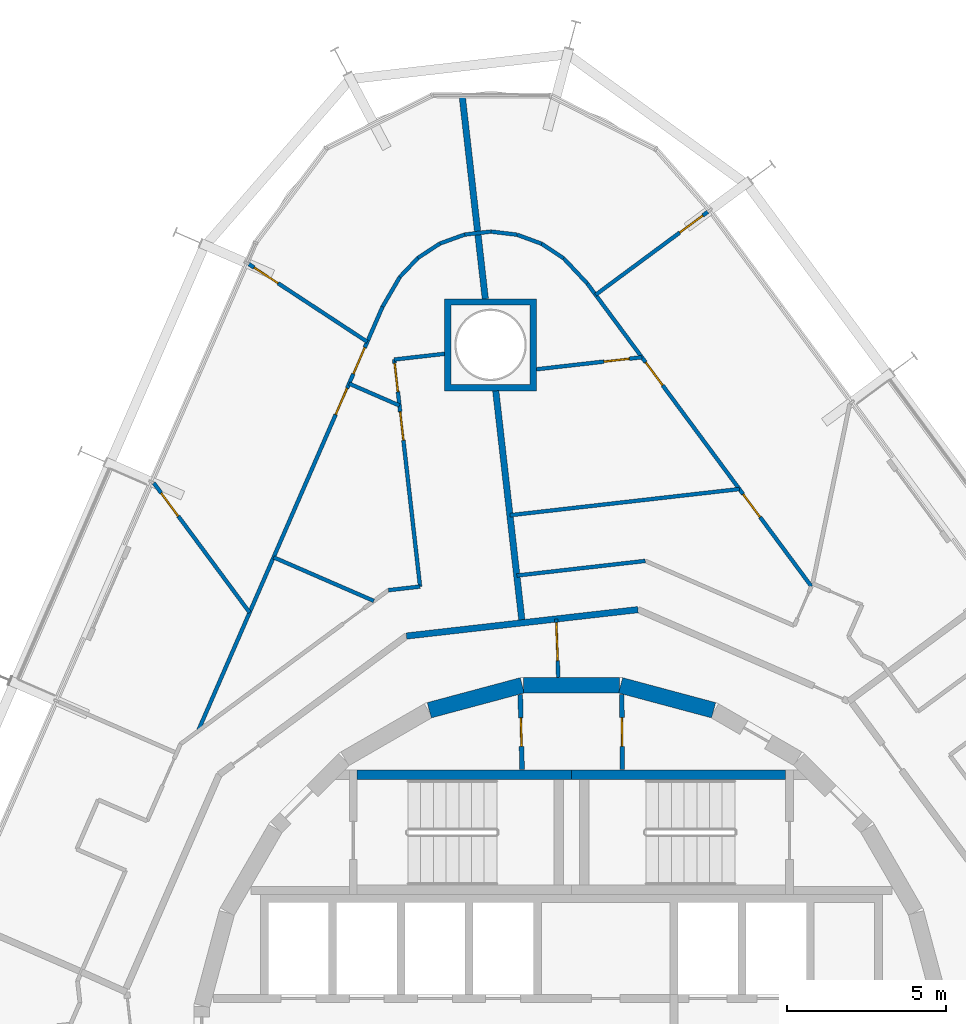
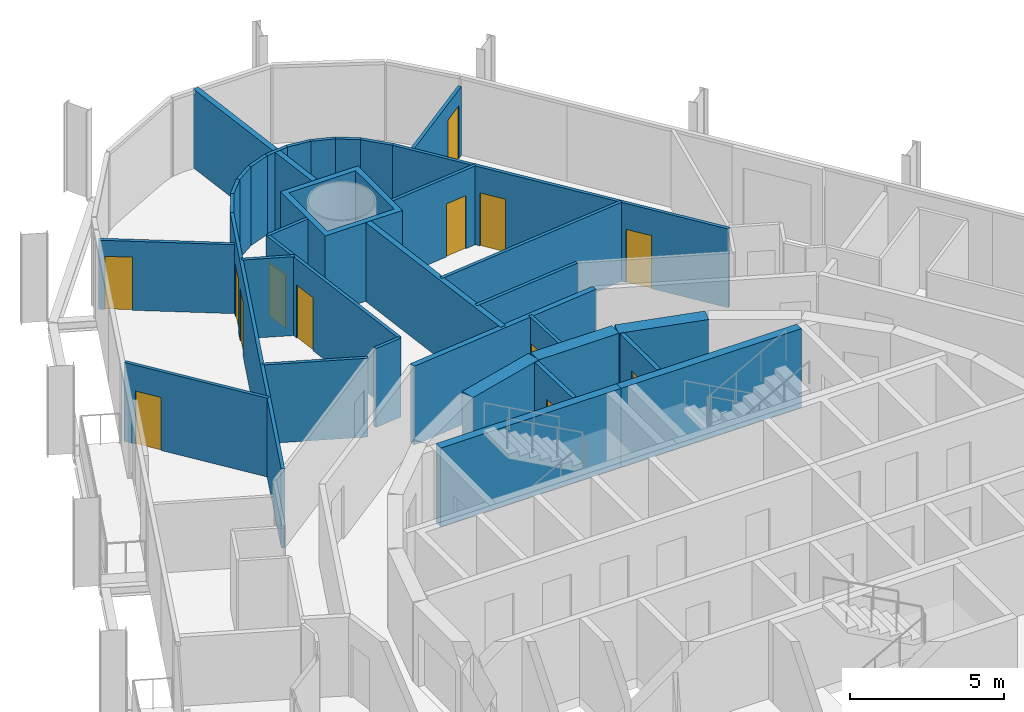
# One storey, part 21 of 23: 34 walls, 13 doors, 13 openings.
"""IFC4 building model written with IfcOpenShell, lengths in metres."""

from ifc_helpers import new_model, si_unit, direction, frame, frame_2d, origin, place, context, subcontext, project, spatial, polyline, rectangle, outline, extrude, material, layer, layer_set, type_object, element, fill, save


model = new_model("IFC4")

# Units and contexts
model_context = context("Model", 3, precision=1e-05, world=origin(), true_north=direction((0.0, 1.0)))
body_context = subcontext(model_context, "Body", "Model", "MODEL_VIEW")
ifc_project = project(units=[si_unit("LENGTHUNIT", "METRE"), si_unit("AREAUNIT", "SQUARE_METRE"), si_unit("VOLUMEUNIT", "CUBIC_METRE"), si_unit("PLANEANGLEUNIT", "RADIAN"), si_unit("MASSUNIT", "GRAM", prefix="KILO")], contexts=[model_context])

# Site, building, storey
site_placement = place(None, origin())
site = spatial("IfcSite", under=ifc_project, at=site_placement, CompositionType="ELEMENT")
building_placement = place(site_placement, origin())
building = spatial("IfcBuilding", under=site, at=building_placement, Name="Spindle Arch Residences", CompositionType="ELEMENT")
storey_placement = place(building_placement, frame((0.0, 0.0, 83.699951171875)))
storey = spatial("IfcBuildingStorey", under=building, at=storey_placement, Name="L19", CompositionType="ELEMENT", Elevation=83.699951171875)

# Walls
ifc_material_1 = material(Name="Concrete C50/60", Category="concrete")
ifc_layer_1 = layer(ifc_material_1, 0.5)
ifc_layer_set_1 = layer_set([ifc_layer_1], Name="Core outline wall 500")
wall_type_1 = type_object("IfcWallType", Name="Core outline wall 500", PredefinedType="SHEAR", material=ifc_layer_set_1)
for number, where, z_axis, x_axis, name in (
    (1, (4.479248046875, 10.858154296875, 0.0), (0.0, 0.0, 1.0), (-0.965948410781, 0.258734743916, 0.0), "Core outline wall 11"),
    (2, (1.516357421875, 11.647216796875, 0.0), (0.0, 0.0, 1.0), (-1.0, 0.0, 0.0), "Core outline wall 12"),
    (3, (-1.5498046875, 11.642822265625, 0.0), (0.0, 0.0, 1.0), (-0.965948410781, -0.258734743916, 0.0), "Core outline wall 13"),
):
    element("IfcWall", number, at=place(storey_placement, frame(where, z_axis=z_axis, x_axis=x_axis)), inside=storey, type_object=wall_type_1, Name=name, PredefinedType="SHEAR", context=body_context, shape_type="SweptSolid", body=[
        extrude(rectangle(XDim=3.03271484375, YDim=0.5, at=frame_2d((1.516357421875, 0.0))), origin(), (0.0, 0.0, 1.0), 3.1201171875),
    ])

# Wall, opening, door
ifc_material_2 = material(Name="Plasterboard on steel studs", Category="steel")
ifc_layer_2 = layer(ifc_material_2, 0.1201171875)
ifc_layer_set_2 = layer_set([ifc_layer_2], Name="Corridor division wall 120")
wall_type_2 = type_object("IfcWallType", Name="Corridor division wall 120", PredefinedType="PARTITIONING", material=ifc_layer_set_2)
wall_1_placement = place(storey_placement, frame((-0.4794921875, 13.73388671875, 0.0), z_axis=(0.0, 0.0, 1.0), x_axis=(0.034805430832, -0.999394107439, 0.0)))
wall_1 = element("IfcWall", 4, at=wall_1_placement, inside=storey, type_object=wall_type_2, Name="Corridor division wall R2A0-W001", PredefinedType="PARTITIONING", context=body_context, shape_type="SweptSolid", body=[
    extrude(rectangle(XDim=1.837890625, YDim=0.1201171875, at=frame_2d((0.9189453125, 0.0))), origin(), (0.0, 0.0, 1.0), 3.1201171875),
])
opening_1_placement = place(wall_1_placement, frame((0.114990234375, 0.0, 0.0)))
opening_1 = element("IfcOpeningElement", 5, at=opening_1_placement, cuts=wall_1, Name="Opening R2A0-CD01", PredefinedType="OPENING", context=body_context, shape_type="SweptSolid", body=[
    extrude(rectangle(XDim=1.199951171875, YDim=2.10009765625, at=frame_2d((0.60009765625, 1.050048828125))), frame((0.0, 0.070068359375, 0.0), z_axis=(0.0, -1.0, 0.0), x_axis=(1.0, 0.0, 0.0)), (0.0, 0.0, 1.0), 0.14013671875),
])
ifc_material_3 = material(Name="Steel, fire-resisting door", Category="steel")
door_type_1 = type_object("IfcDoorType", Name="Corridor division door 1200x2100", OperationType="NOTDEFINED", PredefinedType="DOOR", material=ifc_material_3)
door_1_placement = place(opening_1_placement, origin())
door_1 = element("IfcDoor", 6, at=door_1_placement, inside=storey, type_object=door_type_1, Name="Corridor division door R2A0-CD01", OperationType="DOUBLE_DOOR_SINGLE_SWING", OverallHeight=2.10009765625, OverallWidth=1.199951171875, PredefinedType="DOOR", context=body_context, shape_type="SweptSolid", body=[
    extrude(rectangle(XDim=1.199951171875, YDim=2.10009765625, at=frame_2d((0.60009765625, 1.050048828125))), frame((0.0, 0.02490234375, 0.0), z_axis=(0.0, -1.0, 0.0), x_axis=(1.0, 0.0, 0.0)), (0.0, 0.0, 1.0), 0.050048828125),
])
fill(opening_1, door_1)

# Walls
ifc_material_4 = material(Name="Calcium silicate block, plastered")
ifc_layer_3 = layer(ifc_material_4, 0.199951171875)
ifc_layer_set_3 = layer_set([ifc_layer_3], Name="Corridor wall 200")
wall_type_3 = type_object("IfcWallType", Name="Corridor wall 200", PredefinedType="STANDARD", material=ifc_layer_set_3)
wall_2_placement = place(storey_placement, frame((2.096435546875, 14.027587890625, 0.0), z_axis=(0.0, 0.0, 1.0), x_axis=(-0.993569170114, -0.113226782163, 0.0)))
element("IfcWall", 7, at=wall_2_placement, inside=storey, type_object=wall_type_3, Name="Corridor wall R2A0-W008", PredefinedType="STANDARD", context=body_context, shape_type="SweptSolid", body=[
    extrude(rectangle(XDim=7.341796875, YDim=0.199951171875, at=frame_2d((3.6708984375, 0.0))), origin(), (0.0, 0.0, 1.0), 3.1201171875),
])
ifc_material_5 = material(Name="Plasterboard on steel studs", Category="steel")
ifc_layer_4 = layer(ifc_material_5, 0.1201171875)
ifc_layer_set_4 = layer_set([ifc_layer_4], Name="Flat partition 120")
wall_type_4 = type_object("IfcWallType", Name="Flat partition 120", PredefinedType="PARTITIONING", material=ifc_layer_set_4)
wall_3_placement = place(storey_placement, frame((2.325927734375, 15.563232421875, 0.0), z_axis=(0.0, 0.0, 1.0), x_axis=(-0.993575109804, -0.113174649008, 0.0)))
element("IfcWall", 8, at=wall_3_placement, inside=storey, type_object=wall_type_4, Name="Flat partition R2A0-W053", PredefinedType="PARTITIONING", context=body_context, shape_type="SweptSolid", body=[
    extrude(rectangle(XDim=4.07275390625, YDim=0.1201171875, at=frame_2d((2.036376953125, 0.0))), origin(), (0.0, 0.0, 1.0), 3.1201171875),
])

# Wall, openings, doors
wall_4_placement = place(storey_placement, frame((0.49755859375, 24.3056640625, 0.0), z_axis=(0.0, 0.0, 1.0), x_axis=(0.594826266513, -0.803854285718, 0.0)))
wall_4 = element("IfcWall", 9, at=wall_4_placement, inside=storey, type_object=wall_type_4, Name="Flat partition R2A0-W055", PredefinedType="PARTITIONING", context=body_context, shape_type="SweptSolid", body=[
    extrude(rectangle(XDim=11.874755859375, YDim=0.1201171875, at=frame_2d((5.9375, 0.0))), origin(), (0.0, 0.0, 1.0), 3.1201171875),
])
opening_2_placement = place(wall_4_placement, frame((8.259521484375, 0.0, 0.0)))
opening_2 = element("IfcOpeningElement", 10, at=opening_2_placement, cuts=wall_4, Name="Opening R2A0-ID08", PredefinedType="OPENING", context=body_context, shape_type="SweptSolid", body=[
    extrude(rectangle(XDim=0.89990234375, YDim=2.10009765625, at=frame_2d((0.449951171875, 1.050048828125))), frame((0.0, 0.070068359375, 0.0), z_axis=(0.0, -1.0, 0.0), x_axis=(1.0, 0.0, 0.0)), (0.0, 0.0, 1.0), 0.14013671875),
])
opening_3_placement = place(wall_4_placement, frame((3.093505859375, 0.0, 0.0)))
opening_3 = element("IfcOpeningElement", 11, at=opening_3_placement, cuts=wall_4, Name="Opening R2A0-ID09", PredefinedType="OPENING", context=body_context, shape_type="SweptSolid", body=[
    extrude(rectangle(XDim=0.89990234375, YDim=2.10009765625, at=frame_2d((0.449951171875, 1.050048828125))), frame((0.0, 0.070068359375, 0.0), z_axis=(0.0, -1.0, 0.0), x_axis=(1.0, 0.0, 0.0)), (0.0, 0.0, 1.0), 0.14013671875),
])
ifc_material_6 = material(Name="Timber door set", Category="wood")
door_type_2 = type_object("IfcDoorType", Name="Room door 900x2100", OperationType="NOTDEFINED", PredefinedType="DOOR", material=ifc_material_6)
door_2_placement = place(opening_2_placement, origin())
door_2 = element("IfcDoor", 12, at=door_2_placement, inside=storey, type_object=door_type_2, Name="Room door R2A0-ID08", OperationType="SINGLE_SWING_RIGHT", OverallHeight=2.10009765625, OverallWidth=0.89990234375, PredefinedType="DOOR", context=body_context, shape_type="SweptSolid", body=[
    extrude(rectangle(XDim=0.89990234375, YDim=2.10009765625, at=frame_2d((0.449951171875, 1.050048828125))), frame((0.0, 0.02490234375, 0.0), z_axis=(0.0, -1.0, 0.0), x_axis=(1.0, 0.0, 0.0)), (0.0, 0.0, 1.0), 0.050048828125),
])
fill(opening_2, door_2)
door_3_placement = place(opening_3_placement, origin())
door_3 = element("IfcDoor", 13, at=door_3_placement, inside=storey, type_object=door_type_2, Name="Room door R2A0-ID09", OperationType="SINGLE_SWING_LEFT", OverallHeight=2.10009765625, OverallWidth=0.89990234375, PredefinedType="DOOR", context=body_context, shape_type="SweptSolid", body=[
    extrude(rectangle(XDim=0.89990234375, YDim=2.10009765625, at=frame_2d((0.449951171875, 1.050048828125))), frame((0.0, 0.02490234375, 0.0), z_axis=(0.0, -1.0, 0.0), x_axis=(1.0, 0.0, 0.0)), (0.0, 0.0, 1.0), 0.050048828125),
])
fill(opening_3, door_3)

# Wall
wall_5_placement = place(storey_placement, frame((5.29150390625, 17.826904296875, 0.0), z_axis=(0.0, 0.0, 1.0), x_axis=(-0.993570041735, -0.113219133399, 0.0)))
element("IfcWall", 14, at=wall_5_placement, inside=storey, type_object=wall_type_4, Name="Flat partition R2A0-W057", PredefinedType="PARTITIONING", context=body_context, shape_type="SweptSolid", body=[
    extrude(rectangle(XDim=7.275634765625, YDim=0.1201171875, at=frame_2d((3.6376953125, 0.0))), origin(), (0.0, 0.0, 1.0), 3.1201171875),
])

# Wall, opening, door
wall_6_placement = place(storey_placement, frame((2.21875, 21.9794921875, 0.0), z_axis=(0.0, 0.0, 1.0), x_axis=(-0.99357408397, -0.113183654573, 0.0)))
wall_6 = element("IfcWall", 15, at=wall_6_placement, inside=storey, type_object=wall_type_4, Name="Flat partition R2A0-W058", PredefinedType="PARTITIONING", context=body_context, shape_type="SweptSolid", body=[
    extrude(rectangle(XDim=3.339111328125, YDim=0.1201171875, at=frame_2d((1.66943359375, 0.0))), origin(), (0.0, 0.0, 1.0), 3.1201171875),
])
opening_4_placement = place(wall_6_placement, frame((0.39990234375, 0.0, 0.0)))
opening_4 = element("IfcOpeningElement", 16, at=opening_4_placement, cuts=wall_6, Name="Opening R2A0-BD03", PredefinedType="OPENING", context=body_context, shape_type="SweptSolid", body=[
    extrude(rectangle(XDim=0.800048828125, YDim=2.10009765625, at=frame_2d((0.39990234375, 1.050048828125))), frame((0.0, 0.070068359375, 0.0), z_axis=(0.0, -1.0, 0.0), x_axis=(1.0, 0.0, 0.0)), (0.0, 0.0, 1.0), 0.14013671875),
])
ifc_material_7 = material(Name="Timber door set", Category="wood")
door_type_3 = type_object("IfcDoorType", Name="Bathroom door 800x2100", OperationType="NOTDEFINED", PredefinedType="DOOR", material=ifc_material_7)
door_4_placement = place(opening_4_placement, origin())
door_4 = element("IfcDoor", 17, at=door_4_placement, inside=storey, type_object=door_type_3, Name="Bathroom door R2A0-BD03", OperationType="SINGLE_SWING_RIGHT", OverallHeight=2.10009765625, OverallWidth=0.800048828125, PredefinedType="DOOR", context=body_context, shape_type="SweptSolid", body=[
    extrude(rectangle(XDim=0.800048828125, YDim=2.10009765625, at=frame_2d((0.39990234375, 1.050048828125))), frame((0.0, 0.02490234375, 0.0), z_axis=(0.0, -1.0, 0.0), x_axis=(1.0, 0.0, 0.0)), (0.0, 0.0, 1.0), 0.050048828125),
])
fill(opening_4, door_4)

# Walls
for number, where, z_axis, x_axis, name in (
    (18, (-3.36181640625, 25.846435546875, 0.0), (0.0, 0.0, 1.0), (0.993548802859, 0.113405362912, 0.0), "Flat partition R2A0-W059"),
    (19, (-2.538330078125, 25.9404296875, 0.0), (0.0, 0.0, 1.0), (0.992894945409, -0.118994232556, 0.0), "Flat partition R2A0-W060"),
    (20, (-1.71533203125, 25.841796875, 0.0), (0.0, 0.0, 1.0), (0.938644465852, -0.344886309856, 0.0), "Flat partition R2A0-W061"),
    (21, (-0.937255859375, 25.555908203125, 0.0), (0.0, 0.0, 1.0), (0.833858440069, -0.551978352769, 0.0), "Flat partition R2A0-W062"),
):
    element("IfcWall", number, at=place(storey_placement, frame(where, z_axis=z_axis, x_axis=x_axis)), inside=storey, type_object=wall_type_4, Name=name, PredefinedType="PARTITIONING", context=body_context, shape_type="SweptSolid", body=[
        extrude(rectangle(XDim=0.828857421875, YDim=0.1201171875, at=frame_2d((0.41455078125, 0.0))), origin(), (0.0, 0.0, 1.0), 3.1201171875),
    ])
wall_7_placement = place(storey_placement, frame((-0.24609375, 25.098388671875, 0.0), z_axis=(0.0, 0.0, 1.0), x_axis=(0.684172712488, -0.729320025426, 0.0)))
element("IfcWall", 22, at=wall_7_placement, inside=storey, type_object=wall_type_4, Name="Flat partition R2A0-W063", PredefinedType="PARTITIONING", context=body_context, shape_type="SweptSolid", body=[
    extrude(rectangle(XDim=1.0869140625, YDim=0.1201171875, at=frame_2d((0.54345703125, 0.0))), origin(), (0.0, 0.0, 1.0), 3.1201171875),
])
wall_8_placement = place(storey_placement, frame((-3.998779296875, 22.089111328125, 0.0), z_axis=(0.0, 0.0, 1.0), x_axis=(-0.993550908639, -0.113386912568, 0.0)))
element("IfcWall", 23, at=wall_8_placement, inside=storey, type_object=wall_type_4, Name="Flat partition R2A0-W064", PredefinedType="PARTITIONING", context=body_context, shape_type="SweptSolid", body=[
    extrude(rectangle(XDim=1.595458984375, YDim=0.1201171875, at=frame_2d((0.7978515625, 0.0))), origin(), (0.0, 0.0, 1.0), 3.1201171875),
])

# Wall, openings, doors
wall_9_placement = place(storey_placement, frame((-5.583984375, 21.908203125, 0.0), z_axis=(0.0, 0.0, 1.0), x_axis=(0.113192725021, -0.993573050662, 0.0)))
wall_9 = element("IfcWall", 24, at=wall_9_placement, inside=storey, type_object=wall_type_4, Name="Flat partition R2A0-W065", PredefinedType="PARTITIONING", context=body_context, shape_type="SweptSolid", body=[
    extrude(rectangle(XDim=7.19970703125, YDim=0.1201171875, at=frame_2d((3.599853515625, 0.0))), origin(), (0.0, 0.0, 1.0), 3.1201171875),
])
opening_5_placement = place(wall_9_placement, frame((0.1201171875, 0.0, 0.0)))
opening_5 = element("IfcOpeningElement", 25, at=opening_5_placement, cuts=wall_9, Name="Opening R2A0-ID11", PredefinedType="OPENING", context=body_context, shape_type="SweptSolid", body=[
    extrude(rectangle(XDim=0.89990234375, YDim=2.10009765625, at=frame_2d((0.449951171875, 1.050048828125))), frame((0.0, 0.070068359375, 0.0), z_axis=(0.0, -1.0, 0.0), x_axis=(1.0, 0.0, 0.0)), (0.0, 0.0, 1.0), 0.14013671875),
])
opening_6_placement = place(wall_9_placement, frame((1.658203125, 0.0, 0.0)))
opening_6 = element("IfcOpeningElement", 26, at=opening_6_placement, cuts=wall_9, Name="Opening R2A0-ID12", PredefinedType="OPENING", context=body_context, shape_type="SweptSolid", body=[
    extrude(rectangle(XDim=0.89990234375, YDim=2.10009765625, at=frame_2d((0.449951171875, 1.050048828125))), frame((0.0, 0.070068359375, 0.0), z_axis=(0.0, -1.0, 0.0), x_axis=(1.0, 0.0, 0.0)), (0.0, 0.0, 1.0), 0.14013671875),
])
door_5_placement = place(opening_5_placement, origin())
door_5 = element("IfcDoor", 27, at=door_5_placement, inside=storey, type_object=door_type_2, Name="Room door R2A0-ID11", OperationType="SINGLE_SWING_RIGHT", OverallHeight=2.10009765625, OverallWidth=0.89990234375, PredefinedType="DOOR", context=body_context, shape_type="SweptSolid", body=[
    extrude(rectangle(XDim=0.89990234375, YDim=2.10009765625, at=frame_2d((0.449951171875, 1.050048828125))), frame((0.0, 0.02490234375, 0.0), z_axis=(0.0, -1.0, 0.0), x_axis=(1.0, 0.0, 0.0)), (0.0, 0.0, 1.0), 0.050048828125),
])
fill(opening_5, door_5)
door_6_placement = place(opening_6_placement, origin())
door_6 = element("IfcDoor", 28, at=door_6_placement, inside=storey, type_object=door_type_2, Name="Room door R2A0-ID12", OperationType="SINGLE_SWING_LEFT", OverallHeight=2.10009765625, OverallWidth=0.89990234375, PredefinedType="DOOR", context=body_context, shape_type="SweptSolid", body=[
    extrude(rectangle(XDim=0.89990234375, YDim=2.10009765625, at=frame_2d((0.449951171875, 1.050048828125))), frame((0.0, 0.02490234375, 0.0), z_axis=(0.0, -1.0, 0.0), x_axis=(1.0, 0.0, 0.0)), (0.0, 0.0, 1.0), 0.050048828125),
])
fill(opening_6, door_6)

# Walls
wall_10_placement = place(storey_placement, frame((-4.76904296875, 14.7548828125, 0.0), z_axis=(0.0, 0.0, 1.0), x_axis=(-0.993568649539, -0.113231350131, 0.0)))
element("IfcWall", 29, at=wall_10_placement, inside=storey, type_object=wall_type_4, Name="Flat partition R2A0-W066", PredefinedType="PARTITIONING", context=body_context, shape_type="SweptSolid", body=[
    extrude(rectangle(XDim=1.004638671875, YDim=0.1201171875, at=frame_2d((0.50244140625, 0.0))), origin(), (0.0, 0.0, 1.0), 3.1201171875),
])
wall_11_placement = place(storey_placement, frame((-3.36181640625, 25.846435546875, 0.0), z_axis=(0.0, 0.0, 1.0), x_axis=(-0.940718391217, -0.33918860303, 0.0)))
element("IfcWall", 30, at=wall_11_placement, inside=storey, type_object=wall_type_4, Name="Flat partition R2A0-W073", PredefinedType="PARTITIONING", context=body_context, shape_type="SweptSolid", body=[
    extrude(rectangle(XDim=0.8291015625, YDim=0.1201171875, at=frame_2d((0.41455078125, 0.0))), origin(), (0.0, 0.0, 1.0), 3.1201171875),
])
wall_12_placement = place(storey_placement, frame((-4.141845703125, 25.565185546875, 0.0), z_axis=(0.0, 0.0, 1.0), x_axis=(-0.837047461437, -0.547130283664, 0.0)))
element("IfcWall", 31, at=wall_12_placement, inside=storey, type_object=wall_type_4, Name="Flat partition R2A0-W074", PredefinedType="PARTITIONING", context=body_context, shape_type="SweptSolid", body=[
    extrude(rectangle(XDim=0.82861328125, YDim=0.1201171875, at=frame_2d((0.414306640625, 0.0))), origin(), (0.0, 0.0, 1.0), 3.1201171875),
])
wall_13_placement = place(storey_placement, frame((-4.83544921875, 25.11181640625, 0.0), z_axis=(0.0, 0.0, 1.0), x_axis=(-0.688463067416, -0.72527140079, 0.0)))
element("IfcWall", 32, at=wall_13_placement, inside=storey, type_object=wall_type_4, Name="Flat partition R2A0-W075", PredefinedType="PARTITIONING", context=body_context, shape_type="SweptSolid", body=[
    extrude(rectangle(XDim=0.8291015625, YDim=0.1201171875, at=frame_2d((0.41455078125, 0.0))), origin(), (0.0, 0.0, 1.0), 3.1201171875),
])
wall_14_placement = place(storey_placement, frame((-5.40625, 24.510498046875, 0.0), z_axis=(0.0, 0.0, 1.0), x_axis=(-0.502487709822, -0.864584351858, 0.0)))
element("IfcWall", 33, at=wall_14_placement, inside=storey, type_object=wall_type_4, Name="Flat partition R2A0-W076", PredefinedType="PARTITIONING", context=body_context, shape_type="SweptSolid", body=[
    extrude(rectangle(XDim=1.0869140625, YDim=0.1201171875, at=frame_2d((0.54345703125, 0.0))), origin(), (0.0, 0.0, 1.0), 3.1201171875),
])

# Wall, openings, doors
wall_15_placement = place(storey_placement, frame((-5.952392578125, 23.57080078125, 0.0), z_axis=(0.0, 0.0, 1.0), x_axis=(-0.398745097158, -0.917061801348, 0.0)))
wall_15 = element("IfcWall", 34, at=wall_15_placement, inside=storey, type_object=wall_type_4, Name="Flat partition R2A0-W077", PredefinedType="PARTITIONING", context=body_context, shape_type="SweptSolid", body=[
    extrude(rectangle(XDim=14.576416015625, YDim=0.1201171875, at=frame_2d((7.2880859375, 0.0))), origin(), (0.0, 0.0, 1.0), 3.1201171875),
])
opening_7_placement = place(wall_15_placement, frame((2.800537109375, 0.0, 0.0)))
opening_7 = element("IfcOpeningElement", 35, at=opening_7_placement, cuts=wall_15, Name="Opening R2A0-ID14", PredefinedType="OPENING", context=body_context, shape_type="SweptSolid", body=[
    extrude(rectangle(XDim=0.89990234375, YDim=2.10009765625, at=frame_2d((0.449951171875, 1.050048828125))), frame((0.0, 0.070068359375, 0.0), z_axis=(0.0, -1.0, 0.0), x_axis=(1.0, 0.0, 0.0)), (0.0, 0.0, 1.0), 0.14013671875),
])
opening_8_placement = place(wall_15_placement, frame((1.40478515625, 0.0, 0.0)))
opening_8 = element("IfcOpeningElement", 36, at=opening_8_placement, cuts=wall_15, Name="Opening R2A0-ID17", PredefinedType="OPENING", context=body_context, shape_type="SweptSolid", body=[
    extrude(rectangle(XDim=0.89990234375, YDim=2.10009765625, at=frame_2d((0.449951171875, 1.050048828125))), frame((0.0, 0.070068359375, 0.0), z_axis=(0.0, -1.0, 0.0), x_axis=(1.0, 0.0, 0.0)), (0.0, 0.0, 1.0), 0.14013671875),
])
door_7_placement = place(opening_7_placement, origin())
door_7 = element("IfcDoor", 37, at=door_7_placement, inside=storey, type_object=door_type_2, Name="Room door R2A0-ID14", OperationType="SINGLE_SWING_LEFT", OverallHeight=2.10009765625, OverallWidth=0.89990234375, PredefinedType="DOOR", context=body_context, shape_type="SweptSolid", body=[
    extrude(rectangle(XDim=0.89990234375, YDim=2.10009765625, at=frame_2d((0.449951171875, 1.050048828125))), frame((0.0, 0.02490234375, 0.0), z_axis=(0.0, -1.0, 0.0), x_axis=(1.0, 0.0, 0.0)), (0.0, 0.0, 1.0), 0.050048828125),
])
fill(opening_7, door_7)
door_8_placement = place(opening_8_placement, origin())
door_8 = element("IfcDoor", 38, at=door_8_placement, inside=storey, type_object=door_type_2, Name="Room door R2A0-ID17", OperationType="SINGLE_SWING_RIGHT", OverallHeight=2.10009765625, OverallWidth=0.89990234375, PredefinedType="DOOR", context=body_context, shape_type="SweptSolid", body=[
    extrude(rectangle(XDim=0.89990234375, YDim=2.10009765625, at=frame_2d((0.449951171875, 1.050048828125))), frame((0.0, 0.02490234375, 0.0), z_axis=(0.0, -1.0, 0.0), x_axis=(1.0, 0.0, 0.0)), (0.0, 0.0, 1.0), 0.050048828125),
])
fill(opening_8, door_8)

# Walls
wall_16_placement = place(storey_placement, frame((-7.00537109375, 21.149169921875, 0.0), z_axis=(0.0, 0.0, 1.0), x_axis=(0.917081274718, -0.398700307953, 0.0)))
element("IfcWall", 39, at=wall_16_placement, inside=storey, type_object=wall_type_4, Name="Flat partition R2A0-W078", PredefinedType="PARTITIONING", context=body_context, shape_type="SweptSolid", body=[
    extrude(rectangle(XDim=1.72998046875, YDim=0.1201171875, at=frame_2d((0.864990234375, 0.0))), origin(), (0.0, 0.0, 1.0), 3.1201171875),
])
wall_17_placement = place(storey_placement, frame((-9.385009765625, 15.67626953125, 0.0), z_axis=(0.0, 0.0, 1.0), x_axis=(0.917068929701, -0.398728702475, 0.0)))
element("IfcWall", 40, at=wall_17_placement, inside=storey, type_object=wall_type_4, Name="Flat partition R2A0-W080", PredefinedType="PARTITIONING", context=body_context, shape_type="SweptSolid", body=[
    extrude(rectangle(XDim=3.4453125, YDim=0.1201171875, at=frame_2d((1.72265625, 0.0))), origin(), (0.0, 0.0, 1.0), 3.1201171875),
])

# Wall, opening, door
wall_18_placement = place(storey_placement, frame((-13.1630859375, 18.021728515625, 0.0), z_axis=(0.0, 0.0, 1.0), x_axis=(0.594797671626, -0.803875444226, 0.0)))
wall_18 = element("IfcWall", 41, at=wall_18_placement, inside=storey, type_object=wall_type_4, Name="Flat partition R2A0-W081", PredefinedType="PARTITIONING", context=body_context, shape_type="SweptSolid", body=[
    extrude(rectangle(XDim=5.08056640625, YDim=0.1201171875, at=frame_2d((2.540283203125, 0.0))), origin(), (0.0, 0.0, 1.0), 3.1201171875),
])
opening_9_placement = place(wall_18_placement, frame((0.39990234375, 0.0, 0.0)))
opening_9 = element("IfcOpeningElement", 42, at=opening_9_placement, cuts=wall_18, Name="Opening R2A0-ID16", PredefinedType="OPENING", context=body_context, shape_type="SweptSolid", body=[
    extrude(rectangle(XDim=0.89990234375, YDim=2.10009765625, at=frame_2d((0.449951171875, 1.050048828125))), frame((0.0, 0.070068359375, 0.0), z_axis=(0.0, -1.0, 0.0), x_axis=(1.0, 0.0, 0.0)), (0.0, 0.0, 1.0), 0.14013671875),
])
door_9_placement = place(opening_9_placement, origin())
door_9 = element("IfcDoor", 43, at=door_9_placement, inside=storey, type_object=door_type_2, Name="Room door R2A0-ID16", OperationType="SINGLE_SWING_RIGHT", OverallHeight=2.10009765625, OverallWidth=0.89990234375, PredefinedType="DOOR", context=body_context, shape_type="SweptSolid", body=[
    extrude(rectangle(XDim=0.89990234375, YDim=2.10009765625, at=frame_2d((0.449951171875, 1.050048828125))), frame((0.0, 0.02490234375, 0.0), z_axis=(0.0, -1.0, 0.0), x_axis=(1.0, 0.0, 0.0)), (0.0, 0.0, 1.0), 0.050048828125),
])
fill(opening_9, door_9)

ifc_material_8 = material(Name="Plasterboard on steel studs", Category="steel")
ifc_layer_5 = layer(ifc_material_8, 0.1201171875)
ifc_layer_set_5 = layer_set([ifc_layer_5], Name="Flat partition 120 under beam 2730")
wall_type_5 = type_object("IfcWallType", Name="Flat partition 120 under beam 2730", PredefinedType="PARTITIONING", material=ifc_layer_set_5)
wall_19_placement = place(storey_placement, frame((4.29931640625, 26.56494140625, 0.0), z_axis=(0.0, 0.0, 1.0), x_axis=(-0.803851981262, -0.594829380764, 0.0)))
wall_19 = element("IfcWall", 44, at=wall_19_placement, inside=storey, type_object=wall_type_5, Name="Flat partition R2A0-W056", PredefinedType="PARTITIONING", context=body_context, shape_type="SweptSolid", body=[
    extrude(rectangle(XDim=4.39990234375, YDim=0.1201171875, at=frame_2d((2.199951171875, 0.0))), origin(), (0.0, 0.0, 1.0), 2.72998046875),
])
opening_10_placement = place(wall_19_placement, frame((0.199951171875, 0.0, 0.0)))
opening_10 = element("IfcOpeningElement", 45, at=opening_10_placement, cuts=wall_19, Name="Opening R2A0-ID10", PredefinedType="OPENING", context=body_context, shape_type="SweptSolid", body=[
    extrude(rectangle(XDim=0.89990234375, YDim=2.10009765625, at=frame_2d((0.449951171875, 1.050048828125))), frame((0.0, 0.070068359375, 0.0), z_axis=(0.0, -1.0, 0.0), x_axis=(1.0, 0.0, 0.0)), (0.0, 0.0, 1.0), 0.14013671875),
])
door_10_placement = place(opening_10_placement, origin())
door_10 = element("IfcDoor", 46, at=door_10_placement, inside=storey, type_object=door_type_2, Name="Room door R2A0-ID10", OperationType="SINGLE_SWING_RIGHT", OverallHeight=2.10009765625, OverallWidth=0.89990234375, PredefinedType="DOOR", context=body_context, shape_type="SweptSolid", body=[
    extrude(rectangle(XDim=0.89990234375, YDim=2.10009765625, at=frame_2d((0.449951171875, 1.050048828125))), frame((0.0, 0.02490234375, 0.0), z_axis=(0.0, -1.0, 0.0), x_axis=(1.0, 0.0, 0.0)), (0.0, 0.0, 1.0), 0.050048828125),
])
fill(opening_10, door_10)

wall_20_placement = place(storey_placement, frame((-10.1650390625, 24.9169921875, 0.0), z_axis=(0.0, 0.0, 1.0), x_axis=(0.835849562932, -0.548958566876, 0.0)))
wall_20 = element("IfcWall", 47, at=wall_20_placement, inside=storey, type_object=wall_type_5, Name="Flat partition R2A0-W079", PredefinedType="PARTITIONING", context=body_context, shape_type="SweptSolid", body=[
    extrude(rectangle(XDim=4.465087890625, YDim=0.1201171875, at=frame_2d((2.232421875, 0.0))), origin(), (0.0, 0.0, 1.0), 2.72998046875),
])
opening_11_placement = place(wall_20_placement, frame((0.199951171875, 0.0, 0.0)))
opening_11 = element("IfcOpeningElement", 48, at=opening_11_placement, cuts=wall_20, Name="Opening R2A0-ID15", PredefinedType="OPENING", context=body_context, shape_type="SweptSolid", body=[
    extrude(rectangle(XDim=0.89990234375, YDim=2.10009765625, at=frame_2d((0.449951171875, 1.050048828125))), frame((0.0, 0.070068359375, 0.0), z_axis=(0.0, -1.0, 0.0), x_axis=(1.0, 0.0, 0.0)), (0.0, 0.0, 1.0), 0.14013671875),
])
door_11_placement = place(opening_11_placement, origin())
door_11 = element("IfcDoor", 49, at=door_11_placement, inside=storey, type_object=door_type_2, Name="Room door R2A0-ID15", OperationType="SINGLE_SWING_LEFT", OverallHeight=2.10009765625, OverallWidth=0.89990234375, PredefinedType="DOOR", context=body_context, shape_type="SweptSolid", body=[
    extrude(rectangle(XDim=0.89990234375, YDim=2.10009765625, at=frame_2d((0.449951171875, 1.050048828125))), frame((0.0, 0.02490234375, 0.0), z_axis=(0.0, -1.0, 0.0), x_axis=(1.0, 0.0, 0.0)), (0.0, 0.0, 1.0), 0.050048828125),
])
fill(opening_11, door_11)

# Walls
ifc_material_9 = material(Name="Calcium silicate block, plastered")
ifc_layer_6 = layer(ifc_material_9, 0.199951171875)
ifc_layer_set_6 = layer_set([ifc_layer_6], Name="Flat party wall 200")
wall_type_6 = type_object("IfcWallType", Name="Flat party wall 200", PredefinedType="STANDARD", material=ifc_layer_set_6)
wall_21_placement = place(storey_placement, frame((-2.384521484375, 20.92041015625, 0.0), z_axis=(0.0, 0.0, 1.0), x_axis=(0.113177776247, -0.993574753586, 0.0)))
element("IfcWall", 50, at=wall_21_placement, inside=storey, type_object=wall_type_6, Name="Flat party wall R2A0-W020", PredefinedType="STANDARD", context=body_context, shape_type="SweptSolid", body=[
    extrude(rectangle(XDim=7.35595703125, YDim=0.199951171875, at=frame_2d((3.677978515625, 0.0))), origin(), (0.0, 0.0, 1.0), 3.1201171875),
])
wall_22_placement = place(storey_placement, frame((-3.4482421875, 30.26513671875, 0.0), z_axis=(0.0, 0.0, 1.0), x_axis=(0.113178237968, -0.993574700992, 0.0)))
element("IfcWall", 51, at=wall_22_placement, inside=storey, type_object=wall_type_6, Name="Flat party wall R2A0-W021", PredefinedType="STANDARD", context=body_context, shape_type="SweptSolid", body=[
    extrude(rectangle(XDim=6.486572265625, YDim=0.199951171875, at=frame_2d((3.2431640625, 0.0))), origin(), (0.0, 0.0, 1.0), 3.1201171875),
])
ifc_material_10 = material(Name="Calcium silicate block, plastered")
ifc_layer_7 = layer(ifc_material_10, 0.199951171875)
ifc_layer_set_7 = layer_set([ifc_layer_7], Name="Mega-column casing wall 200")
wall_type_7 = type_object("IfcWallType", Name="Mega-column casing wall 200", PredefinedType="STANDARD", material=ifc_layer_set_7)
wall_23_placement = place(storey_placement, origin())
element("IfcWall", 52, at=wall_23_placement, inside=storey, type_object=wall_type_7, Name="Mega-column casing wall R2A0-WC01", PredefinedType="STANDARD", context=body_context, shape_type="SweptSolid", body=[
    extrude(outline(polyline([(-1.098876953125, 23.8203125), (-1.098876953125, 20.92041015625), (-3.998779296875, 20.92041015625), (-3.998779296875, 23.8203125), (-1.098876953125, 23.8203125)]), holes=[polyline([(-3.798828125, 21.120361328125), (-1.298828125, 21.120361328125), (-1.298828125, 23.620361328125), (-3.798828125, 23.620361328125), (-3.798828125, 21.120361328125)])]), origin(), (0.0, 0.0, 1.0), 3.1201171875),
])

# Wall, opening, door
ifc_material_11 = material(Name="Concrete C25/30", Category="concrete")
ifc_layer_8 = layer(ifc_material_11, 0.14990234375)
ifc_layer_set_8 = layer_set([ifc_layer_8], Name="Service room partition 150")
wall_type_8 = type_object("IfcWallType", Name="Service room partition 150", PredefinedType="PARTITIONING", material=ifc_layer_set_8)
wall_24_placement = place(storey_placement, frame((1.585693359375, 11.3544921875, 0.0), z_axis=(0.0, 0.0, 1.0), x_axis=(0.007227482881, -0.999973881405, 0.0)))
wall_24 = element("IfcWall", 53, at=wall_24_placement, inside=storey, type_object=wall_type_8, Name="Core service room partition", PredefinedType="PARTITIONING", context=body_context, shape_type="SweptSolid", body=[
    extrude(rectangle(XDim=2.364501953125, YDim=0.14990234375, at=frame_2d((1.18212890625, 0.0))), origin(), (0.0, 0.0, 1.0), 3.1201171875),
])
opening_12_placement = place(wall_24_placement, frame((0.732177734375, 0.0, 0.0)))
opening_12 = element("IfcOpeningElement", 54, at=opening_12_placement, cuts=wall_24, Name="Opening R2A0-WD07", PredefinedType="OPENING", context=body_context, shape_type="SweptSolid", body=[
    extrude(rectangle(XDim=0.89990234375, YDim=2.10009765625, at=frame_2d((0.449951171875, 1.050048828125))), frame((0.0, 0.0849609375, 0.0), z_axis=(0.0, -1.0, 0.0), x_axis=(1.0, 0.0, 0.0)), (0.0, 0.0, 1.0), 0.169921875),
])
ifc_material_12 = material(Name="Steel, fire-resisting door", Category="steel")
door_type_4 = type_object("IfcDoorType", Name="Service room door 900x2100", OperationType="SINGLE_SWING_LEFT", PredefinedType="DOOR", material=ifc_material_12)
door_12_placement = place(opening_12_placement, origin())
door_12 = element("IfcDoor", 55, at=door_12_placement, inside=storey, type_object=door_type_4, Name="Service room door R2A0-WD07", OperationType="SINGLE_SWING_RIGHT", OverallHeight=2.10009765625, OverallWidth=0.89990234375, PredefinedType="DOOR", context=body_context, shape_type="SweptSolid", body=[
    extrude(rectangle(XDim=0.89990234375, YDim=2.10009765625, at=frame_2d((0.449951171875, 1.050048828125))), frame((0.0, 0.02490234375, 0.0), z_axis=(0.0, -1.0, 0.0), x_axis=(1.0, 0.0, 0.0)), (0.0, 0.0, 1.0), 0.050048828125),
])
fill(opening_12, door_12)

wall_25_placement = place(storey_placement, frame((-1.555419921875, 8.989990234375, 0.0), z_axis=(0.0, 0.0, 1.0), x_axis=(-0.024125549686, 0.999708936567, 0.0)))
wall_25 = element("IfcWall", 56, at=wall_25_placement, inside=storey, type_object=wall_type_8, Name="Core service room partition", PredefinedType="PARTITIONING", context=body_context, shape_type="SweptSolid", body=[
    extrude(rectangle(XDim=2.35791015625, YDim=0.14990234375, at=frame_2d((1.178955078125, 0.0))), origin(), (0.0, 0.0, 1.0), 3.1201171875),
])
opening_13_placement = place(wall_25_placement, frame((0.72900390625, 0.0, 0.0)))
opening_13 = element("IfcOpeningElement", 57, at=opening_13_placement, cuts=wall_25, Name="Opening R2A0-WD08", PredefinedType="OPENING", context=body_context, shape_type="SweptSolid", body=[
    extrude(rectangle(XDim=0.89990234375, YDim=2.10009765625, at=frame_2d((0.449951171875, 1.050048828125))), frame((0.0, 0.0849609375, 0.0), z_axis=(0.0, -1.0, 0.0), x_axis=(1.0, 0.0, 0.0)), (0.0, 0.0, 1.0), 0.169921875),
])
door_13_placement = place(opening_13_placement, origin())
door_13 = element("IfcDoor", 58, at=door_13_placement, inside=storey, type_object=door_type_4, Name="Service room door R2A0-WD08", OperationType="SINGLE_SWING_LEFT", OverallHeight=2.10009765625, OverallWidth=0.89990234375, PredefinedType="DOOR", context=body_context, shape_type="SweptSolid", body=[
    extrude(rectangle(XDim=0.89990234375, YDim=2.10009765625, at=frame_2d((0.449951171875, 1.050048828125))), frame((0.0, 0.02490234375, 0.0), z_axis=(0.0, -1.0, 0.0), x_axis=(1.0, 0.0, 0.0)), (0.0, 0.0, 1.0), 0.050048828125),
])
fill(opening_13, door_13)

# Walls
ifc_material_13 = material(Name="Concrete C50/60", Category="concrete")
ifc_layer_9 = layer(ifc_material_13, 0.300048828125)
ifc_layer_set_9 = layer_set([ifc_layer_9], Name="Stair enclosure wall 300")
wall_type_9 = type_object("IfcWallType", Name="Stair enclosure wall 300", PredefinedType="SHEAR", material=ifc_layer_set_9)
for number, where, z_axis, x_axis, name in (
    (59, (0.0, 8.820068359375, 0.0), (0.0, 0.0, 1.0), (1.0, 0.0, 0.0), "Stair ST-1 enclosure wall N"),
    (60, (-6.75, 8.820068359375, 0.0), (0.0, 0.0, 1.0), (1.0, 0.0, 0.0), "Stair ST-2 enclosure wall N"),
):
    element("IfcWall", number, at=place(storey_placement, frame(where, z_axis=z_axis, x_axis=x_axis)), inside=storey, type_object=wall_type_9, Name=name, PredefinedType="SHEAR", context=body_context, shape_type="SweptSolid", body=[
        extrude(rectangle(XDim=6.75, YDim=0.300048828125, at=frame_2d((3.375, 0.0))), origin(), (0.0, 0.0, 1.0), 3.1201171875),
    ])

save(model, "model.ifc")
